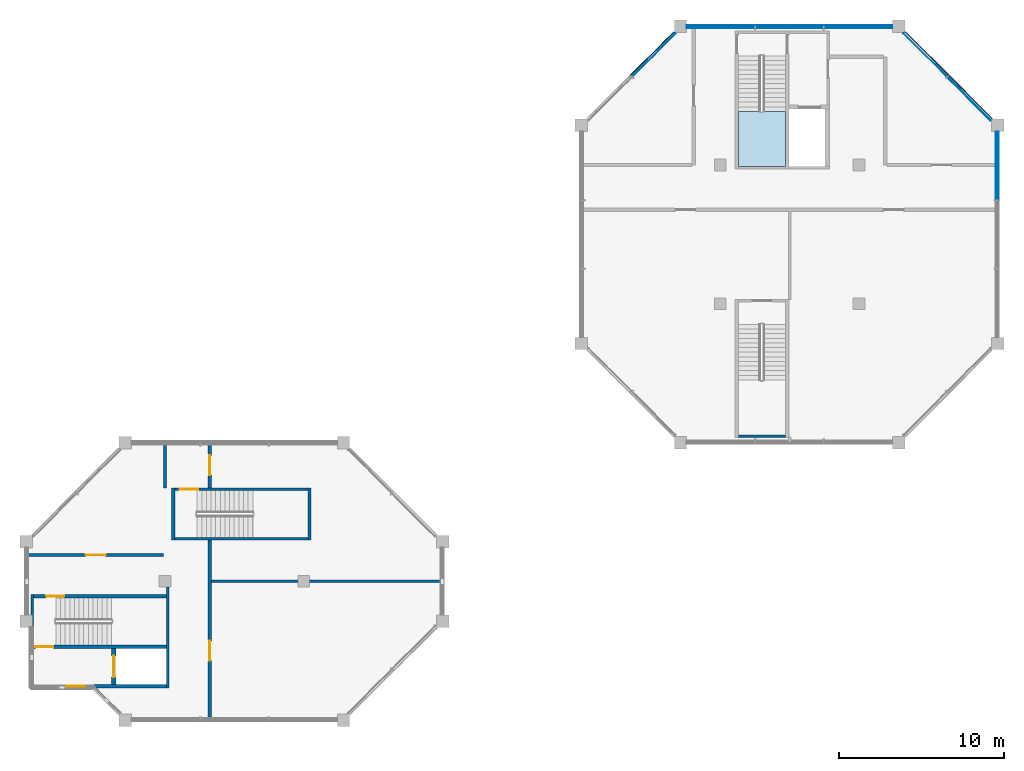
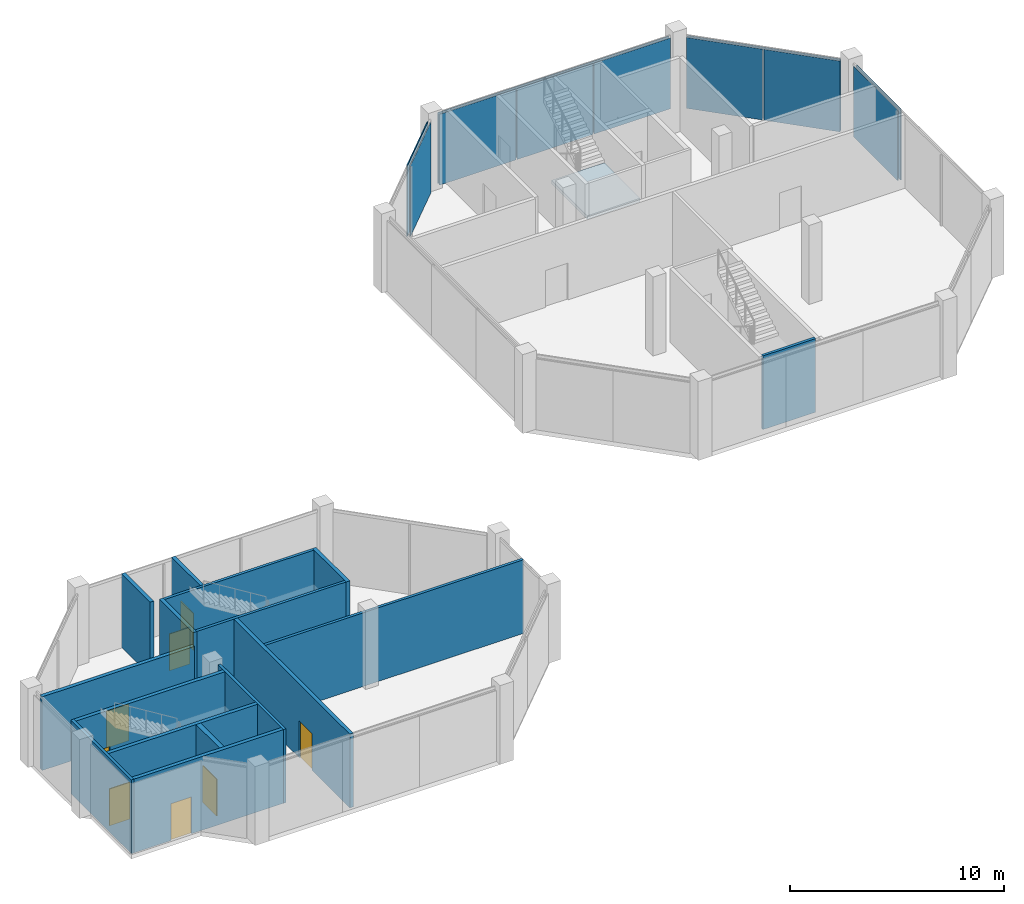
# One storey, part 5 of 9: 16 walls, 14 plates, 8 doors, 1 slab, 8 openings, 5 elements without a shape of their own.
"""IFC4 building model written with IfcOpenShell, lengths in metres."""

from ifc_helpers import new_model, si_unit, direction, frame, frame_2d, origin, origin_2d, place, context, subcontext, project, spatial, polyline, rectangle, outline, extrude, material, layer, layer_set, type_object, element, fill, aggregate, save


model = new_model("IFC4")

# Units and contexts
model_context = context("Model", 3, precision=1e-05, world=origin(), true_north=direction((0.0, 1.0)))
body_context = subcontext(model_context, "Body", "Model", "MODEL_VIEW")
ifc_project = project(units=[si_unit("LENGTHUNIT", "METRE"), si_unit("AREAUNIT", "SQUARE_METRE"), si_unit("VOLUMEUNIT", "CUBIC_METRE"), si_unit("PLANEANGLEUNIT", "RADIAN"), si_unit("MASSUNIT", "GRAM", prefix="KILO")], contexts=[model_context])

# Site, building, storey
site_placement = place(None, origin())
site = spatial("IfcSite", under=ifc_project, at=site_placement, CompositionType="ELEMENT")
building_placement = place(site_placement, origin())
building = spatial("IfcBuilding", under=site, at=building_placement, Name="Kawkab Arch Medical Tower", CompositionType="ELEMENT")
storey_placement = place(building_placement, frame((0.0, 0.0, 341.199951171875)))
storey = spatial("IfcBuildingStorey", under=building, at=storey_placement, Name="L79", CompositionType="ELEMENT", Elevation=341.199951171875)

# Curtain wall, plates
ifc_material_1 = material(Name="Bronze anodised aluminium curtain wall frame", Category="aluminium")
ifc_layer_1 = layer(ifc_material_1, 0.159912109375)
ifc_layer_set_1 = layer_set([ifc_layer_1], Name="Bronze anodised aluminium curtain wall frame")
curtain_wall_type = type_object("IfcCurtainWallType", Name="CW6 helipad lobby and crown glazing", PredefinedType="NOTDEFINED", material=ifc_layer_set_1)
placement = place(storey_placement, origin())
curtain_wall_1 = element("IfcCurtainWall", 1, at=placement, inside=storey, type_object=curtain_wall_type, Name="CW6 Helipad lobby and crown glazing R01", PredefinedType="NOTDEFINED")
ifc_material_2 = material(Name="Tinted laminated insulating glass, low iron", Category="glass")
ifc_layer_2 = layer(ifc_material_2, 0.0400390625)
ifc_layer_set_2 = layer_set([ifc_layer_2], Name="Tinted laminated insulating glass, low iron")
plate_type_1 = type_object("IfcPlateType", Name="CW6 glazing unit 40", PredefinedType="CURTAIN_PANEL", material=ifc_layer_set_2)
plate_1_placement = place(storey_placement, frame((57.05419921875, -4.3955078125, 0.0), z_axis=(0.0, 0.0, 1.0), x_axis=(-0.707106781187, 0.707106781187, 0.0)))
plate_1 = element("IfcPlate", 2, at=plate_1_placement, type_object=plate_type_1, Name="CW6 glazing unit 1.1", PredefinedType="CURTAIN_PANEL", context=body_context, shape_type="SweptSolid", body=[
    extrude(rectangle(XDim=3.67724609375, YDim=0.0400390625, at=origin_2d()), origin(), (0.0, 0.0, 1.0), 4.0400390625),
])
plate_2_placement = place(storey_placement, frame((54.404296875, -1.745849609375, 0.0), z_axis=(0.0, 0.0, 1.0), x_axis=(-0.707106781187, 0.707106781187, 0.0)))
plate_2 = element("IfcPlate", 3, at=plate_2_placement, type_object=plate_type_1, Name="CW6 glazing unit 1.2", PredefinedType="CURTAIN_PANEL", context=body_context, shape_type="SweptSolid", body=[
    extrude(rectangle(XDim=3.67724609375, YDim=0.0400390625, at=origin_2d()), origin(), (0.0, 0.0, 1.0), 4.0400390625),
])
aggregate(curtain_wall_1, [plate_1, plate_2])

curtain_wall_2 = element("IfcCurtainWall", 4, at=placement, inside=storey, type_object=curtain_wall_type, Name="CW6 Helipad lobby and crown glazing R02", PredefinedType="NOTDEFINED")
plate_3_placement = place(storey_placement, frame((50.367431640625, -0.10009765625, 0.0), z_axis=(0.0, 0.0, 1.0), x_axis=(-1.0, 0.0, 0.0)))
plate_3 = element("IfcPlate", 5, at=plate_3_placement, type_object=plate_type_1, Name="CW6 glazing unit 1.1", PredefinedType="CURTAIN_PANEL", context=body_context, shape_type="SweptSolid", body=[
    extrude(rectangle(XDim=4.114990234375, YDim=0.0400390625, at=origin_2d()), origin(), (0.0, 0.0, 1.0), 4.0400390625),
])
plate_4_placement = place(storey_placement, frame((46.199951171875, -0.10009765625, 0.0), z_axis=(0.0, 0.0, 1.0), x_axis=(-1.0, 0.0, 0.0)))
plate_4 = element("IfcPlate", 6, at=plate_4_placement, type_object=plate_type_1, Name="CW6 glazing unit 1.2", PredefinedType="CURTAIN_PANEL", context=body_context, shape_type="SweptSolid", body=[
    extrude(rectangle(XDim=4.080078125, YDim=0.0400390625, at=origin_2d()), origin(), (0.0, 0.0, 1.0), 4.0400390625),
])
plate_5_placement = place(storey_placement, frame((42.032470703125, -0.10009765625, 0.0), z_axis=(0.0, 0.0, 1.0), x_axis=(-1.0, 0.0, 0.0)))
plate_5 = element("IfcPlate", 7, at=plate_5_placement, type_object=plate_type_1, Name="CW6 glazing unit 1.3", PredefinedType="CURTAIN_PANEL", context=body_context, shape_type="SweptSolid", body=[
    extrude(rectangle(XDim=4.114990234375, YDim=0.0400390625, at=origin_2d()), origin(), (0.0, 0.0, 1.0), 4.0400390625),
])
aggregate(curtain_wall_2, [plate_3, plate_4, plate_5])

# Curtain wall, plate
curtain_wall_3 = element("IfcCurtainWall", 8, at=placement, inside=storey, type_object=curtain_wall_type, Name="CW6 Helipad lobby and crown glazing R03", PredefinedType="NOTDEFINED")
plate_6_placement = place(storey_placement, frame((37.99560546875, -1.745849609375, 0.0), z_axis=(0.0, 0.0, 1.0), x_axis=(-0.707106781187, -0.707106781187, 0.0)))
plate_6 = element("IfcPlate", 9, at=plate_6_placement, type_object=plate_type_1, Name="CW6 glazing unit 1.1", PredefinedType="CURTAIN_PANEL", context=body_context, shape_type="SweptSolid", body=[
    extrude(rectangle(XDim=3.67724609375, YDim=0.0400390625, at=origin_2d()), origin(), (0.0, 0.0, 1.0), 4.0400390625),
])
aggregate(curtain_wall_3, [plate_6])

curtain_wall_4 = element("IfcCurtainWall", 10, at=placement, inside=storey, type_object=curtain_wall_type, Name="CW6 Helipad lobby and crown glazing R08", PredefinedType="NOTDEFINED")
plate_7_placement = place(storey_placement, frame((58.699951171875, -8.4326171875, 0.0), z_axis=(0.0, 0.0, 1.0), x_axis=(0.0, 1.0, 0.0)))
plate_7 = element("IfcPlate", 11, at=plate_7_placement, type_object=plate_type_1, Name="CW6 glazing unit 1.3", PredefinedType="CURTAIN_PANEL", context=body_context, shape_type="SweptSolid", body=[
    extrude(rectangle(XDim=4.114990234375, YDim=0.0400390625, at=origin_2d()), origin(), (0.0, 0.0, 1.0), 4.0400390625),
])
aggregate(curtain_wall_4, [plate_7])

# Plates
ifc_material_3 = material(Name="Bronze anodised aluminium perforated screen", Category="aluminium")
ifc_layer_3 = layer(ifc_material_3, 0.050048828125)
ifc_layer_set_3 = layer_set([ifc_layer_3], Name="Bronze anodised aluminium perforated screen")
plate_type_2 = type_object("IfcPlateType", Name="Crown perforated star screen 50", PredefinedType="USERDEFINED", material=ifc_layer_set_3)
for number, where, z_axis, x_axis, name in (
    (12, (57.144287109375, -4.28076171875, 0.0), (0.0, 0.0, 1.0), (-0.707106781187, 0.707106781187, 0.0), "Crown screen L79 R01.1.1"),
    (13, (54.519287109375, -1.655517578125, 0.0), (0.0, 0.0, 1.0), (-0.707106781187, 0.707106781187, 0.0), "Crown screen L79 R01.1.2"),
):
    element("IfcPlate", number, at=place(storey_placement, frame(where, z_axis=z_axis, x_axis=x_axis)), inside=storey, type_object=plate_type_2, Name=name, ObjectType="SCREEN", PredefinedType="USERDEFINED", context=body_context, shape_type="SweptSolid", body=[
        extrude(rectangle(XDim=3.71240234375, YDim=0.050048828125, at=origin_2d()), origin(), (0.0, 0.0, 1.0), 4.0400390625),
    ])
for number, where, z_axis, x_axis, name in (
    (14, (50.35009765625, 0.044921875, 0.0), (0.0, 0.0, 1.0), (-1.0, 0.0, 0.0), "Crown screen L79 R02.1.1"),
    (15, (46.199951171875, 0.044921875, 0.0), (0.0, 0.0, 1.0), (-1.0, 0.0, 0.0), "Crown screen L79 R02.1.2"),
    (16, (42.050048828125, 0.044921875, 0.0), (0.0, 0.0, 1.0), (-1.0, 0.0, 0.0), "Crown screen L79 R02.1.3"),
):
    element("IfcPlate", number, at=place(storey_placement, frame(where, z_axis=z_axis, x_axis=x_axis)), inside=storey, type_object=plate_type_2, Name=name, ObjectType="SCREEN", PredefinedType="USERDEFINED", context=body_context, shape_type="SweptSolid", body=[
        extrude(rectangle(XDim=4.14990234375, YDim=0.050048828125, at=origin_2d()), origin(), (0.0, 0.0, 1.0), 4.0400390625),
    ])
plate_8_placement = place(storey_placement, frame((37.880615234375, -1.65576171875, 0.0), z_axis=(0.0, 0.0, 1.0), x_axis=(-0.707106781187, -0.707106781187, 0.0)))
element("IfcPlate", 17, at=plate_8_placement, inside=storey, type_object=plate_type_2, Name="Crown screen L79 R03.1.1", ObjectType="SCREEN", PredefinedType="USERDEFINED", context=body_context, shape_type="SweptSolid", body=[
    extrude(rectangle(XDim=3.71240234375, YDim=0.050048828125, at=origin_2d()), origin(), (0.0, 0.0, 1.0), 4.0400390625),
])
plate_9_placement = place(storey_placement, frame((58.844970703125, -8.449951171875, 0.0), z_axis=(0.0, 0.0, 1.0), x_axis=(0.0, 1.0, 0.0)))
element("IfcPlate", 18, at=plate_9_placement, inside=storey, type_object=plate_type_2, Name="Crown screen L79 R08.1.3", ObjectType="SCREEN", PredefinedType="USERDEFINED", context=body_context, shape_type="SweptSolid", body=[
    extrude(rectangle(XDim=4.14990234375, YDim=0.050048828125, at=origin_2d()), origin(), (0.0, 0.0, 1.0), 4.0400390625),
])

# Stair, slab
ifc_material_4 = material(Name="Concrete C40/50", Category="concrete")
stair_type = type_object("IfcStairType", Name="Exit stair 1350", PredefinedType="HALF_TURN_STAIR", material=ifc_material_4)
stair = element("IfcStair", 19, at=placement, inside=storey, type_object=stair_type, Name="L79 Exit stair ST5", PredefinedType="HALF_TURN_STAIR")
ifc_material_5 = material(Name="Concrete C40/50", Category="concrete")
ifc_layer_4 = layer(ifc_material_5, 0.199951171875)
ifc_layer_set_4 = layer_set([ifc_layer_4], Name="Concrete C40/50")
slab_type = type_object("IfcSlabType", Name="Exit stair landing 200", PredefinedType="LANDING", material=ifc_layer_set_4)
slab_placement = place(storey_placement, frame((0.0, 0.0, 2.050048828125)))
slab = element("IfcSlab", 20, at=slab_placement, type_object=slab_type, Name="ST5 landing 1", PredefinedType="LANDING", context=body_context, shape_type="SweptSolid", body=[
    extrude(outline(polyline([(43.10009765625, -5.159912109375), (43.10009765625, -8.5), (45.949951171875, -8.5), (45.949951171875, -5.159912109375), (43.10009765625, -5.159912109375)])), origin(), (0.0, 0.0, 1.0), 0.199951171875),
])
aggregate(stair, [slab])

# Wall, opening, door
ifc_material_6 = material(Name="Concrete C60/75", Category="concrete")
ifc_layer_5 = layer(ifc_material_6, 0.25)
ifc_layer_set_5 = layer_set([ifc_layer_5], Name="Concrete C60/75")
wall_type_1 = type_object("IfcWallType", Name="Core shear wall 250 C60/75", PredefinedType="SHEAR", material=ifc_layer_set_5)
wall_1_placement = place(storey_placement, frame((5.300048828125, -39.85009765625, 0.0), z_axis=(0.0, 0.0, 1.0), x_axis=(0.0, 1.0, 0.0)))
wall_1 = element("IfcWall", 21, at=wall_1_placement, inside=storey, type_object=wall_type_1, Name="L79 core shear wall", PredefinedType="SHEAR", context=body_context, shape_type="SweptSolid", body=[
    extrude(rectangle(XDim=2.2001953125, YDim=0.25, at=frame_2d((1.10009765625, 0.0))), origin(), (0.0, 0.0, 1.0), 4.199951171875),
])
opening_1_placement = place(wall_1_placement, frame((0.449951171875, 0.0, 0.0)))
opening_1 = element("IfcOpeningElement", 22, at=opening_1_placement, cuts=wall_1, Name="Opening LD2", PredefinedType="OPENING", context=body_context, shape_type="SweptSolid", body=[
    extrude(rectangle(XDim=1.300048828125, YDim=2.10009765625, at=frame_2d((0.64990234375, 1.050048828125))), frame((0.0, 0.135009765625, 0.0), z_axis=(0.0, -1.0, 0.0), x_axis=(1.0, 0.0, 0.0)), (0.0, 0.0, 1.0), 0.27001953125),
])
ifc_material_7 = material(Name="Stainless steel lift door leaf", Category="steel")
door_type_1 = type_object("IfcDoorType", Name="Lift landing door 1300", OperationType="DOUBLE_DOOR_SLIDING", PredefinedType="DOOR", material=ifc_material_7)
door_1_placement = place(opening_1_placement, origin())
door_1 = element("IfcDoor", 23, at=door_1_placement, inside=storey, type_object=door_type_1, Name="L79 Lift landing door SV2", OperationType="DOUBLE_DOOR_SLIDING", OverallHeight=2.10009765625, OverallWidth=1.300048828125, PredefinedType="DOOR", context=body_context, shape_type="SweptSolid", body=[
    extrude(rectangle(XDim=1.300048828125, YDim=2.10009765625, at=frame_2d((0.64990234375, 1.050048828125))), frame((0.0, 0.02490234375, 0.0), z_axis=(0.0, -1.0, 0.0), x_axis=(1.0, 0.0, 0.0)), (0.0, 0.0, 1.0), 0.050048828125),
])
fill(opening_1, door_1)

# Wall
ifc_material_8 = material(Name="Gypsum board partition on steel studs, mineral wool", Category="steel")
ifc_layer_6 = layer(ifc_material_8, 0.14990234375)
ifc_layer_set_6 = layer_set([ifc_layer_6], Name="Gypsum board partition on steel studs, mineral wool")
wall_type_2 = type_object("IfcWallType", Name="Partition 150", PredefinedType="PARTITIONING", material=ifc_layer_set_6)
wall_2_placement = place(storey_placement, frame((11.199951171875, -33.60009765625, 0.0), z_axis=(0.0, 0.0, 1.0), x_axis=(1.0, 0.0, 0.0)))
element("IfcWall", 24, at=wall_2_placement, inside=storey, type_object=wall_type_2, Name="Partition 150 w001", PredefinedType="PARTITIONING", context=body_context, shape_type="SweptSolid", body=[
    extrude(rectangle(XDim=13.920166015625, YDim=0.14990234375, at=frame_2d((6.9599609375, 0.0))), origin(), (0.0, 0.0, 1.0), 4.199951171875),
])

# Wall, opening, door
ifc_material_9 = material(Name="Fire-rated gypsum board partition on steel studs", Category="steel")
ifc_layer_7 = layer(ifc_material_9, 0.199951171875)
ifc_layer_set_7 = layer_set([ifc_layer_7], Name="Fire-rated gypsum board partition on steel studs")
wall_type_3 = type_object("IfcWallType", Name="Protected partition 200", PredefinedType="PARTITIONING", material=ifc_layer_set_7)
wall_3_placement = place(storey_placement, frame((0.080078125, -32.007080078125, 0.0), z_axis=(0.0, 0.0, 1.0), x_axis=(1.0, 0.0, 0.0)))
wall_3 = element("IfcWall", 25, at=wall_3_placement, inside=storey, type_object=wall_type_3, Name="Protected partition 200 w004", PredefinedType="PARTITIONING", context=body_context, shape_type="SweptSolid", body=[
    extrude(rectangle(XDim=8.219970703125, YDim=0.199951171875, at=frame_2d((4.10986328125, 0.0))), origin(), (0.0, 0.0, 1.0), 4.199951171875),
])
opening_2_placement = place(wall_3_placement, frame((3.52001953125, 0.0, 0.0)))
opening_2 = element("IfcOpeningElement", 26, at=opening_2_placement, cuts=wall_3, Name="Opening C79-007", PredefinedType="OPENING", context=body_context, shape_type="SweptSolid", body=[
    extrude(rectangle(XDim=1.199951171875, YDim=2.10009765625, at=frame_2d((0.60009765625, 1.050048828125))), frame((0.0, 0.10986328125, 0.0), z_axis=(0.0, -1.0, 0.0), x_axis=(1.0, 0.0, 0.0)), (0.0, 0.0, 1.0), 0.219970703125),
])
ifc_material_10 = material(Name="Hollow metal door leaf")
door_type_2 = type_object("IfcDoorType", Name="Single door 1200x2100 FD60", OperationType="NOTDEFINED", PredefinedType="DOOR", material=ifc_material_10)
door_2_placement = place(opening_2_placement, origin())
door_2 = element("IfcDoor", 27, at=door_2_placement, inside=storey, type_object=door_type_2, Name="Door C79-007", OperationType="SINGLE_SWING_LEFT", OverallHeight=2.10009765625, OverallWidth=1.199951171875, PredefinedType="DOOR", context=body_context, shape_type="SweptSolid", body=[
    extrude(rectangle(XDim=1.199951171875, YDim=2.10009765625, at=frame_2d((0.60009765625, 1.050048828125))), frame((0.0, 0.02490234375, 0.0), z_axis=(0.0, -1.0, 0.0), x_axis=(1.0, 0.0, 0.0)), (0.0, 0.0, 1.0), 0.050048828125),
])
fill(opening_2, door_2)

# Wall
wall_4_placement = place(storey_placement, frame((8.39990234375, -27.949951171875, 0.0), z_axis=(0.0, 0.0, 1.0), x_axis=(0.0, 1.0, 0.0)))
element("IfcWall", 28, at=wall_4_placement, inside=storey, type_object=wall_type_3, Name="Protected partition 200 w009", PredefinedType="PARTITIONING", context=body_context, shape_type="SweptSolid", body=[
    extrude(rectangle(XDim=2.669921875, YDim=0.199951171875, at=frame_2d((1.3349609375, 0.0))), origin(), (0.0, 0.0, 1.0), 4.199951171875),
])

# Wall, opening, door
wall_5_placement = place(storey_placement, frame((11.10009765625, -41.919921875, 0.0), z_axis=(0.0, 0.0, 1.0), x_axis=(0.0, 1.0, 0.0)))
wall_5 = element("IfcWall", 29, at=wall_5_placement, inside=storey, type_object=wall_type_3, Name="Protected partition 200 w010", PredefinedType="PARTITIONING", context=body_context, shape_type="SweptSolid", body=[
    extrude(rectangle(XDim=10.81982421875, YDim=0.199951171875, at=frame_2d((5.409912109375, 0.0))), origin(), (0.0, 0.0, 1.0), 4.199951171875),
])
opening_3_placement = place(wall_5_placement, frame((3.52001953125, 0.0, 0.0)))
opening_3 = element("IfcOpeningElement", 30, at=opening_3_placement, cuts=wall_5, Name="Opening C79-006", PredefinedType="OPENING", context=body_context, shape_type="SweptSolid", body=[
    extrude(rectangle(XDim=1.199951171875, YDim=2.10009765625, at=frame_2d((0.60009765625, 1.050048828125))), frame((0.0, 0.10986328125, 0.0), z_axis=(0.0, -1.0, 0.0), x_axis=(1.0, 0.0, 0.0)), (0.0, 0.0, 1.0), 0.219970703125),
])
door_3_placement = place(opening_3_placement, origin())
door_3 = element("IfcDoor", 31, at=door_3_placement, inside=storey, type_object=door_type_2, Name="Door C79-006", OperationType="SINGLE_SWING_RIGHT", OverallHeight=2.10009765625, OverallWidth=1.199951171875, PredefinedType="DOOR", context=body_context, shape_type="SweptSolid", body=[
    extrude(rectangle(XDim=1.199951171875, YDim=2.10009765625, at=frame_2d((0.60009765625, 1.050048828125))), frame((0.0, 0.02490234375, 0.0), z_axis=(0.0, -1.0, 0.0), x_axis=(1.0, 0.0, 0.0)), (0.0, 0.0, 1.0), 0.050048828125),
])
fill(opening_3, door_3)

wall_6_placement = place(storey_placement, frame((11.10009765625, -27.949951171875, 0.0), z_axis=(0.0, 0.0, 1.0), x_axis=(0.0, 1.0, 0.0)))
wall_6 = element("IfcWall", 32, at=wall_6_placement, inside=storey, type_object=wall_type_3, Name="Protected partition 200 w011", PredefinedType="PARTITIONING", context=body_context, shape_type="SweptSolid", body=[
    extrude(rectangle(XDim=2.669921875, YDim=0.199951171875, at=frame_2d((1.3349609375, 0.0))), origin(), (0.0, 0.0, 1.0), 4.199951171875),
])
opening_4_placement = place(wall_6_placement, frame((0.77490234375, 0.0, 0.0)))
opening_4 = element("IfcOpeningElement", 33, at=opening_4_placement, cuts=wall_6, Name="Opening C79-005", PredefinedType="OPENING", context=body_context, shape_type="SweptSolid", body=[
    extrude(rectangle(XDim=1.199951171875, YDim=2.10009765625, at=frame_2d((0.60009765625, 1.050048828125))), frame((0.0, 0.10986328125, 0.0), z_axis=(0.0, -1.0, 0.0), x_axis=(1.0, 0.0, 0.0)), (0.0, 0.0, 1.0), 0.219970703125),
])
door_4_placement = place(opening_4_placement, origin())
door_4 = element("IfcDoor", 34, at=door_4_placement, inside=storey, type_object=door_type_2, Name="Door C79-005", OperationType="SINGLE_SWING_RIGHT", OverallHeight=2.10009765625, OverallWidth=1.199951171875, PredefinedType="DOOR", context=body_context, shape_type="SweptSolid", body=[
    extrude(rectangle(XDim=1.199951171875, YDim=2.10009765625, at=frame_2d((0.60009765625, 1.050048828125))), frame((0.0, 0.02490234375, 0.0), z_axis=(0.0, -1.0, 0.0), x_axis=(1.0, 0.0, 0.0)), (0.0, 0.0, 1.0), 0.050048828125),
])
fill(opening_4, door_4)

# Walls
ifc_material_11 = material(Name="Concrete C50/60", Category="concrete")
ifc_layer_8 = layer(ifc_material_11, 0.14990234375)
ifc_layer_set_8 = layer_set([ifc_layer_8], Name="Concrete C50/60")
wall_type_4 = type_object("IfcWallType", Name="Stair enclosure wall 150 C50/60", PredefinedType="SHEAR", material=ifc_layer_set_8)
wall_7_placement = place(storey_placement, frame((0.375, -40.050048828125, 0.0), z_axis=(0.0, 0.0, 1.0), x_axis=(0.0, 1.0, 0.0)))
element("IfcWall", 35, at=wall_7_placement, inside=storey, type_object=wall_type_4, Name="L79 stair enclosure wall", PredefinedType="SHEAR", context=body_context, shape_type="SweptSolid", body=[
    extrude(rectangle(XDim=5.650146484375, YDim=0.14990234375, at=frame_2d((2.8251953125, 0.0))), origin(), (0.0, 0.0, 1.0), 4.199951171875),
])
wall_8_placement = place(storey_placement, frame((8.574951171875, -40.050048828125, 0.0), z_axis=(0.0, 0.0, 1.0), x_axis=(0.0, 1.0, 0.0)))
element("IfcWall", 36, at=wall_8_placement, inside=storey, type_object=wall_type_4, Name="L79 stair enclosure wall", PredefinedType="SHEAR", context=body_context, shape_type="SweptSolid", body=[
    extrude(rectangle(XDim=6.10009765625, YDim=0.14990234375, at=frame_2d((3.050048828125, 0.0))), origin(), (0.0, 0.0, 1.0), 4.199951171875),
])
wall_9_placement = place(storey_placement, frame((43.10009765625, -24.824951171875, 0.0), z_axis=(0.0, 0.0, 1.0), x_axis=(1.0, 0.0, 0.0)))
element("IfcWall", 37, at=wall_9_placement, inside=storey, type_object=wall_type_4, Name="L79 stair enclosure wall", PredefinedType="SHEAR", context=body_context, shape_type="SweptSolid", body=[
    extrude(rectangle(XDim=2.849853515625, YDim=0.14990234375, at=frame_2d((1.4248046875, 0.0))), origin(), (0.0, 0.0, 1.0), 4.199951171875),
])

# Wall, opening, door
wall_10_placement = place(storey_placement, frame((9.0, -28.02490234375, 0.0), z_axis=(0.0, 0.0, 1.0), x_axis=(1.0, 0.0, 0.0)))
wall_10 = element("IfcWall", 38, at=wall_10_placement, inside=storey, type_object=wall_type_4, Name="L79 stair enclosure wall", PredefinedType="SHEAR", context=body_context, shape_type="SweptSolid", body=[
    extrude(rectangle(XDim=8.050048828125, YDim=0.14990234375, at=frame_2d((4.02490234375, 0.0))), origin(), (0.0, 0.0, 1.0), 4.199951171875),
])
opening_5_placement = place(wall_10_placement, frame((0.300048828125, 0.0, 0.0)))
opening_5 = element("IfcOpeningElement", 39, at=opening_5_placement, cuts=wall_10, Name="Opening SD", PredefinedType="OPENING", context=body_context, shape_type="SweptSolid", body=[
    extrude(rectangle(XDim=1.10009765625, YDim=2.10009765625, at=frame_2d((0.550048828125, 1.050048828125))), frame((0.0, 0.0849609375, 0.0), z_axis=(0.0, -1.0, 0.0), x_axis=(1.0, 0.0, 0.0)), (0.0, 0.0, 1.0), 0.169921875),
])
ifc_material_12 = material(Name="Hollow metal fire door leaf")
door_type_3 = type_object("IfcDoorType", Name="Exit stair door 1100", OperationType="SINGLE_SWING_LEFT", PredefinedType="DOOR", material=ifc_material_12)
door_5_placement = place(opening_5_placement, origin())
door_5 = element("IfcDoor", 40, at=door_5_placement, inside=storey, type_object=door_type_3, Name="L79 Exit stair ST9 door", OperationType="SINGLE_SWING_LEFT", OverallHeight=2.10009765625, OverallWidth=1.10009765625, PredefinedType="DOOR", context=body_context, shape_type="SweptSolid", body=[
    extrude(rectangle(XDim=1.10009765625, YDim=2.10009765625, at=frame_2d((0.550048828125, 1.050048828125))), frame((0.0, 0.02490234375, 0.0), z_axis=(0.0, -1.0, 0.0), x_axis=(1.0, 0.0, 0.0)), (0.0, 0.0, 1.0), 0.050048828125),
])
fill(opening_5, door_5)

# Wall
wall_11_placement = place(storey_placement, frame((9.0, -31.02490234375, 0.0), z_axis=(0.0, 0.0, 1.0), x_axis=(1.0, 0.0, 0.0)))
element("IfcWall", 41, at=wall_11_placement, inside=storey, type_object=wall_type_4, Name="L79 stair enclosure wall", PredefinedType="SHEAR", context=body_context, shape_type="SweptSolid", body=[
    extrude(rectangle(XDim=8.050048828125, YDim=0.14990234375, at=frame_2d((4.02490234375, 0.0))), origin(), (0.0, 0.0, 1.0), 4.199951171875),
])

# Wall, opening, door
ifc_material_13 = material(Name="Concrete C50/60", Category="concrete")
ifc_layer_9 = layer(ifc_material_13, 0.199951171875)
ifc_layer_set_9 = layer_set([ifc_layer_9], Name="Concrete C50/60")
wall_type_5 = type_object("IfcWallType", Name="Stair enclosure wall 200 C50/60", PredefinedType="SHEAR", material=ifc_layer_set_9)
wall_12_placement = place(storey_placement, frame((0.449951171875, -34.5, 0.0), z_axis=(0.0, 0.0, 1.0), x_axis=(1.0, 0.0, 0.0)))
wall_12 = element("IfcWall", 42, at=wall_12_placement, inside=storey, type_object=wall_type_5, Name="L79 stair enclosure wall", PredefinedType="SHEAR", context=body_context, shape_type="SweptSolid", body=[
    extrude(rectangle(XDim=8.050048828125, YDim=0.199951171875, at=frame_2d((4.02490234375, 0.0))), origin(), (0.0, 0.0, 1.0), 4.199951171875),
])
opening_6_placement = place(wall_12_placement, frame((0.75, 0.0, 0.0)))
opening_6 = element("IfcOpeningElement", 43, at=opening_6_placement, cuts=wall_12, Name="Opening SD", PredefinedType="OPENING", context=body_context, shape_type="SweptSolid", body=[
    extrude(rectangle(XDim=1.10009765625, YDim=2.10009765625, at=frame_2d((0.550048828125, 1.050048828125))), frame((0.0, 0.10986328125, 0.0), z_axis=(0.0, -1.0, 0.0), x_axis=(1.0, 0.0, 0.0)), (0.0, 0.0, 1.0), 0.219970703125),
])
door_6_placement = place(opening_6_placement, origin())
door_6 = element("IfcDoor", 44, at=door_6_placement, inside=storey, type_object=door_type_3, Name="L79 Exit stair ST6 door", OperationType="SINGLE_SWING_LEFT", OverallHeight=2.10009765625, OverallWidth=1.10009765625, PredefinedType="DOOR", context=body_context, shape_type="SweptSolid", body=[
    extrude(rectangle(XDim=1.10009765625, YDim=2.10009765625, at=frame_2d((0.550048828125, 1.050048828125))), frame((0.0, 0.02490234375, 0.0), z_axis=(0.0, -1.0, 0.0), x_axis=(1.0, 0.0, 0.0)), (0.0, 0.0, 1.0), 0.050048828125),
])
fill(opening_6, door_6)

wall_13_placement = place(storey_placement, frame((0.449951171875, -37.550048828125, 0.0), z_axis=(0.0, 0.0, 1.0), x_axis=(1.0, 0.0, 0.0)))
wall_13 = element("IfcWall", 45, at=wall_13_placement, inside=storey, type_object=wall_type_5, Name="L79 stair enclosure wall", PredefinedType="SHEAR", context=body_context, shape_type="SweptSolid", body=[
    extrude(rectangle(XDim=8.050048828125, YDim=0.199951171875, at=frame_2d((4.02490234375, 0.0))), origin(), (0.0, 0.0, 1.0), 4.199951171875),
])
opening_7_placement = place(wall_13_placement, frame((0.10009765625, 0.0, 0.0)))
opening_7 = element("IfcOpeningElement", 46, at=opening_7_placement, cuts=wall_13, Name="Opening SD", PredefinedType="OPENING", context=body_context, shape_type="SweptSolid", body=[
    extrude(rectangle(XDim=1.10009765625, YDim=2.10009765625, at=frame_2d((0.550048828125, 1.050048828125))), frame((0.0, 0.10986328125, 0.0), z_axis=(0.0, -1.0, 0.0), x_axis=(1.0, 0.0, 0.0)), (0.0, 0.0, 1.0), 0.219970703125),
])
door_7_placement = place(opening_7_placement, frame((1.10009765625, 0.0, 0.0), z_axis=(0.0, 0.0, 1.0), x_axis=(-1.0, 0.0, 0.0)))
door_7 = element("IfcDoor", 47, at=door_7_placement, inside=storey, type_object=door_type_3, Name="L79 Exit stair ST6 lobby door", OperationType="SINGLE_SWING_LEFT", OverallHeight=2.10009765625, OverallWidth=1.10009765625, PredefinedType="DOOR", context=body_context, shape_type="SweptSolid", body=[
    extrude(rectangle(XDim=1.10009765625, YDim=2.10009765625, at=frame_2d((0.550048828125, 1.050048828125))), frame((0.0, 0.02490234375, 0.0), z_axis=(0.0, -1.0, 0.0), x_axis=(1.0, 0.0, 0.0)), (0.0, 0.0, 1.0), 0.050048828125),
])
fill(opening_7, door_7)

wall_14_placement = place(storey_placement, frame((0.449951171875, -39.949951171875, 0.0), z_axis=(0.0, 0.0, 1.0), x_axis=(1.0, 0.0, 0.0)))
wall_14 = element("IfcWall", 48, at=wall_14_placement, inside=storey, type_object=wall_type_5, Name="L79 stair enclosure wall", PredefinedType="SHEAR", context=body_context, shape_type="SweptSolid", body=[
    extrude(rectangle(XDim=8.050048828125, YDim=0.199951171875, at=frame_2d((4.02490234375, 0.0))), origin(), (0.0, 0.0, 1.0), 4.199951171875),
])
opening_8_placement = place(wall_14_placement, frame((2.0, 0.0, 0.0)))
opening_8 = element("IfcOpeningElement", 49, at=opening_8_placement, cuts=wall_14, Name="Opening FD", PredefinedType="OPENING", context=body_context, shape_type="SweptSolid", body=[
    extrude(rectangle(XDim=1.10009765625, YDim=2.10009765625, at=frame_2d((0.550048828125, 1.050048828125))), frame((0.0, 0.10986328125, 0.0), z_axis=(0.0, -1.0, 0.0), x_axis=(1.0, 0.0, 0.0)), (0.0, 0.0, 1.0), 0.219970703125),
])
ifc_material_14 = material(Name="Hollow metal fire door leaf")
door_type_4 = type_object("IfcDoorType", Name="Firefighting lobby door 1100", OperationType="SINGLE_SWING_LEFT", PredefinedType="DOOR", material=ifc_material_14)
door_8_placement = place(opening_8_placement, origin())
door_8 = element("IfcDoor", 50, at=door_8_placement, inside=storey, type_object=door_type_4, Name="L79 Service lift lobby door SV2", OperationType="SINGLE_SWING_LEFT", OverallHeight=2.10009765625, OverallWidth=1.10009765625, PredefinedType="DOOR", context=body_context, shape_type="SweptSolid", body=[
    extrude(rectangle(XDim=1.10009765625, YDim=2.10009765625, at=frame_2d((0.550048828125, 1.050048828125))), frame((0.0, 0.02490234375, 0.0), z_axis=(0.0, -1.0, 0.0), x_axis=(1.0, 0.0, 0.0)), (0.0, 0.0, 1.0), 0.050048828125),
])
fill(opening_8, door_8)

# Walls
for number, where, z_axis, x_axis, name in (
    (51, (8.89990234375, -31.10009765625, 0.0), (0.0, 0.0, 1.0), (0.0, 1.0, 0.0), "L79 stair enclosure wall"),
    (52, (17.14990234375, -31.10009765625, 0.0), (0.0, 0.0, 1.0), (0.0, 1.0, 0.0), "L79 stair enclosure wall"),
):
    element("IfcWall", number, at=place(storey_placement, frame(where, z_axis=z_axis, x_axis=x_axis)), inside=storey, type_object=wall_type_5, Name=name, PredefinedType="SHEAR", context=body_context, shape_type="SweptSolid", body=[
        extrude(rectangle(XDim=3.150146484375, YDim=0.199951171875, at=frame_2d((1.5751953125, 0.0))), origin(), (0.0, 0.0, 1.0), 4.199951171875),
    ])

save(model, "model.ifc")
